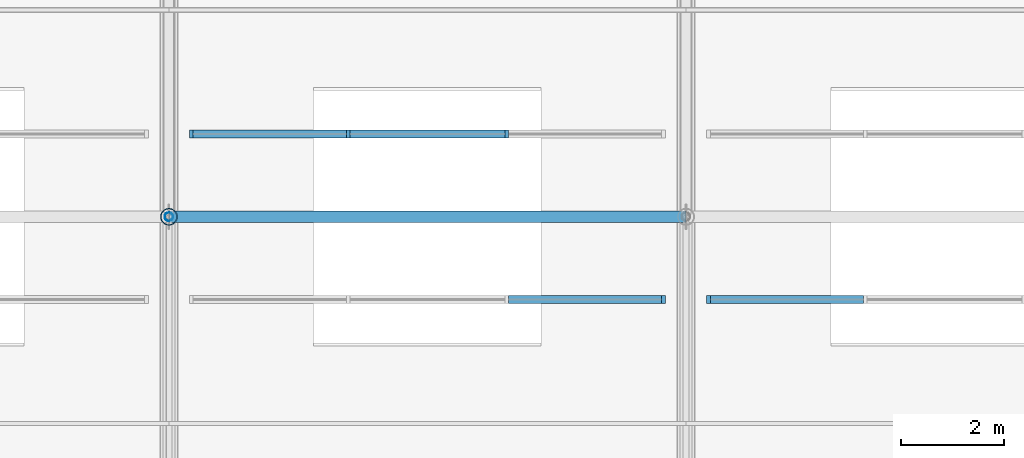
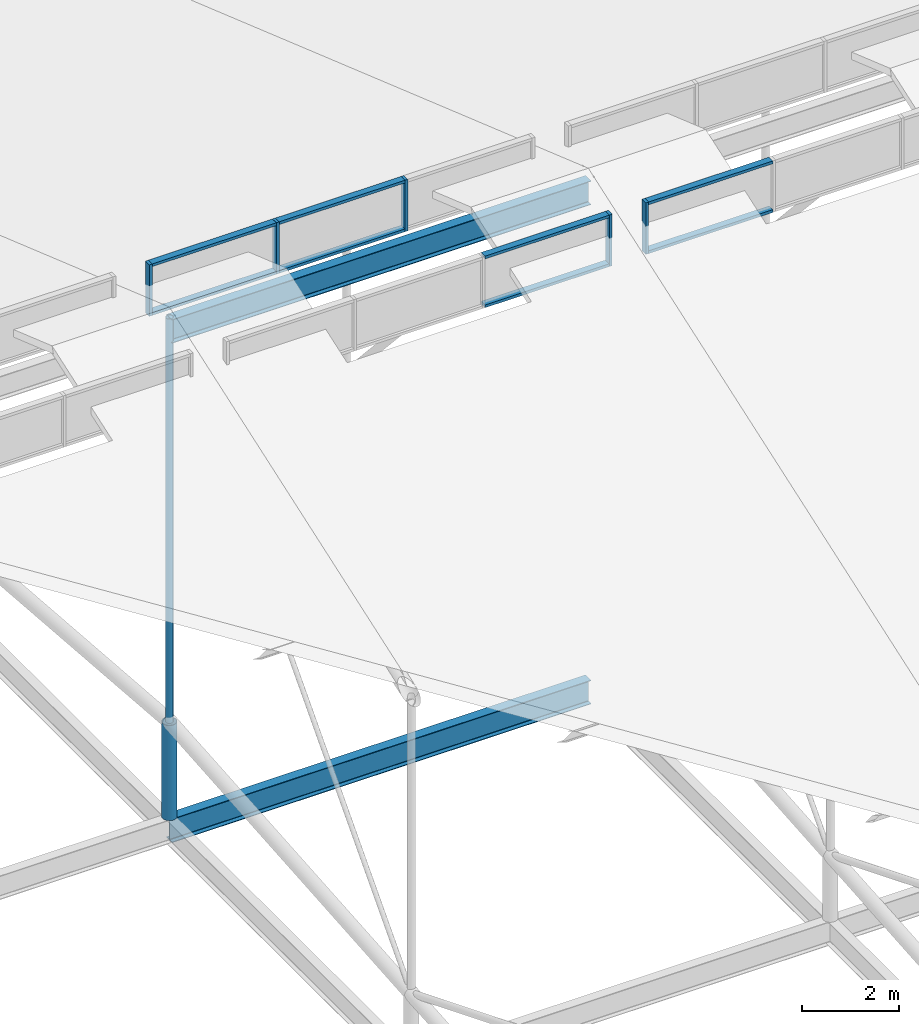
# One storey, part 37 of 93: 15 members, 2 beams, 3 elements without a shape of their own.
"""IFC4 building model written with IfcOpenShell, lengths in metres."""

from ifc_helpers import new_model, si_unit, derived_unit, direction, frame, origin, origin_2d_with_axis, place, context, subcontext, project, spatial, rectangle, hollow_circle, i_section, extrude, material, material_profile, profile_set, type_object, element, aggregate, save


model = new_model("IFC4")

# Units and contexts
model_context = context("Model", 3, precision=1e-05, world=origin(), true_north=direction((0.0, 1.0)))
body_context = subcontext(model_context, "Body", "Model", "MODEL_VIEW")
ifc_project = project(units=[si_unit("LENGTHUNIT", "METRE"), si_unit("AREAUNIT", "SQUARE_METRE"), si_unit("VOLUMEUNIT", "CUBIC_METRE"), si_unit("PLANEANGLEUNIT", "RADIAN"), si_unit("MASSUNIT", "GRAM", prefix="KILO"), derived_unit("THERMALTRANSMITTANCEUNIT", [(si_unit("POWERUNIT", "WATT"), 1), (si_unit("LENGTHUNIT", "METRE"), -2), (si_unit("THERMODYNAMICTEMPERATUREUNIT", "KELVIN"), -1)])], contexts=[model_context])

# Site, building, storey
site_placement = place(None, origin())
site = spatial("IfcSite", under=ifc_project, at=site_placement, CompositionType="ELEMENT")
building_placement = place(site_placement, origin())
building = spatial("IfcBuilding", under=site, at=building_placement, Name="Cinnabar Yard Market Hall", CompositionType="ELEMENT")
storey_placement = place(building_placement, frame((0.0, 0.0, 23.800048828125)))
storey = spatial("IfcBuildingStorey", under=building, at=storey_placement, Name="ROOF", CompositionType="ELEMENT", Elevation=23.800048828125)

# Beams
ifc_material_1 = material(Name="Steel Grade 300 (300 MPa)", Category="steel")
ifc_material_profile_1 = material_profile(ifc_material_1, i_section(OverallWidth=0.22802734375, OverallDepth=0.60205078125, WebThickness=0.010498046875, FlangeThickness=0.014892578125, FilletRadius=0.013916015625, at=origin_2d_with_axis()), Name="610UB101")
ifc_profile_set_1 = profile_set([ifc_material_profile_1], Name="Steel Grade 300 (300 MPa)")
beam_type = type_object("IfcBeamType", Name="BM-B02", PredefinedType="BEAM", material=ifc_profile_set_1)
for number, where, z_axis, x_axis, name in (
    (1, (106.0, 44.0, -9.700927734375), (1.0, 0.0, 0.0), (0.0, 1.0, 0.0), "Hall Longitudinal Tie Girder 00391"),
    (2, (106.0, 44.0, 2.89892578125), (1.0, 0.0, 0.0), (0.0, 1.0, 0.0), "Market Hall Ridge Girder 01594"),
):
    element("IfcBeam", number, at=place(storey_placement, frame(where, z_axis=z_axis, x_axis=x_axis)), inside=storey, type_object=beam_type, Name=name, PredefinedType="BEAM", context=body_context, shape_type="SweptSolid", body=[
        extrude(i_section(OverallWidth=0.22802734375, OverallDepth=0.60205078125, WebThickness=0.010498046875, FlangeThickness=0.014892578125, FilletRadius=0.013916015625, at=origin_2d_with_axis()), origin(), (0.0, 0.0, 1.0), 10.0),
    ])

# Curtain wall, member
ifc_material_2 = material(Name="Anodised aluminium ridge clerestory", Category="aluminium")
curtain_wall_type = type_object("IfcCurtainWallType", Name="CW-CWR092x13", PredefinedType="NOTDEFINED", material=ifc_material_2)
curtain_wall_1_placement = place(storey_placement, origin())
curtain_wall_1 = element("IfcCurtainWall", 3, at=curtain_wall_1_placement, inside=storey, type_object=curtain_wall_type, Name="South Ridge Clerestory 3", PredefinedType="NOTDEFINED")
ifc_material_3 = material(Name="Anodised bronze aluminium", Category="aluminium")
ifc_material_profile_2 = material_profile(ifc_material_3, rectangle(XDim=0.159912109375, YDim=0.070068359375, at=origin_2d_with_axis()), Name="MUL-CWR")
ifc_profile_set_2 = profile_set([ifc_material_profile_2], Name="Anodised bronze aluminium")
member_type_1 = type_object("IfcMemberType", Name="CWM-CWR", PredefinedType="MULLION", material=ifc_profile_set_2)
member_1_placement = place(storey_placement, frame((115.56494140625, 42.39990234375, 2.14990234375), z_axis=(0.0, 0.0, 1.0), x_axis=(0.0, 1.0, 0.0)))
member_1 = element("IfcMember", 4, at=member_1_placement, type_object=member_type_1, Name="CWR092x13 mullion 4", PredefinedType="MULLION", context=body_context, shape_type="SweptSolid", body=[
    extrude(rectangle(XDim=0.159912109375, YDim=0.070068359375, at=origin_2d_with_axis()), origin(), (0.0, 0.0, 1.0), 1.300048828125),
])

# Curtain wall, members
curtain_wall_2_placement = place(storey_placement, origin())
curtain_wall_2 = element("IfcCurtainWall", 5, at=curtain_wall_2_placement, inside=storey, type_object=curtain_wall_type, Name="North Ridge Clerestory 3", PredefinedType="NOTDEFINED")
member_2_placement = place(storey_placement, frame((112.533447265625, 45.60009765625, 2.14990234375), z_axis=(0.0, 0.0, 1.0), x_axis=(0.0, -1.0, 0.0)))
member_2 = element("IfcMember", 6, at=member_2_placement, type_object=member_type_1, Name="CWR092x13 mullion 2", PredefinedType="MULLION", context=body_context, shape_type="SweptSolid", body=[
    extrude(rectangle(XDim=0.159912109375, YDim=0.070068359375, at=origin_2d_with_axis()), origin(), (0.0, 0.0, 1.0), 1.300048828125),
])
member_3_placement = place(storey_placement, frame((109.466552734375, 45.60009765625, 2.14990234375), z_axis=(0.0, 0.0, 1.0), x_axis=(0.0, -1.0, 0.0)))
member_3 = element("IfcMember", 7, at=member_3_placement, type_object=member_type_1, Name="CWR092x13 mullion 3", PredefinedType="MULLION", context=body_context, shape_type="SweptSolid", body=[
    extrude(rectangle(XDim=0.159912109375, YDim=0.070068359375, at=origin_2d_with_axis()), origin(), (0.0, 0.0, 1.0), 1.300048828125),
])
member_4_placement = place(storey_placement, frame((106.43505859375, 45.60009765625, 2.14990234375), z_axis=(0.0, 0.0, 1.0), x_axis=(0.0, -1.0, 0.0)))
member_4 = element("IfcMember", 8, at=member_4_placement, type_object=member_type_1, Name="CWR092x13 mullion 4", PredefinedType="MULLION", context=body_context, shape_type="SweptSolid", body=[
    extrude(rectangle(XDim=0.159912109375, YDim=0.070068359375, at=origin_2d_with_axis()), origin(), (0.0, 0.0, 1.0), 1.300048828125),
])

# Curtain wall, member
curtain_wall_3_placement = place(storey_placement, origin())
curtain_wall_3 = element("IfcCurtainWall", 9, at=curtain_wall_3_placement, inside=storey, type_object=curtain_wall_type, Name="South Ridge Clerestory 4", PredefinedType="NOTDEFINED")
member_5_placement = place(storey_placement, frame((116.43505859375, 42.39990234375, 2.14990234375), z_axis=(0.0, 0.0, 1.0), x_axis=(0.0, 1.0, 0.0)))
member_5 = element("IfcMember", 10, at=member_5_placement, type_object=member_type_1, Name="CWR092x13 mullion 1", PredefinedType="MULLION", context=body_context, shape_type="SweptSolid", body=[
    extrude(rectangle(XDim=0.159912109375, YDim=0.070068359375, at=origin_2d_with_axis()), origin(), (0.0, 0.0, 1.0), 1.300048828125),
])

# Member
ifc_material_profile_3 = material_profile(ifc_material_3, rectangle(XDim=0.159912109375, YDim=0.070068359375, at=origin_2d_with_axis()), Name="TRN-CWR")
ifc_profile_set_3 = profile_set([ifc_material_profile_3], Name="Anodised bronze aluminium")
member_type_2 = type_object("IfcMemberType", Name="CWT-CWR", PredefinedType="USERDEFINED", material=ifc_profile_set_3)
member_6_placement = place(storey_placement, frame((112.568359375, 42.39990234375, 2.18505859375), z_axis=(1.0, 0.0, 0.0), x_axis=(0.0, 1.0, 0.0)))
member_6 = element("IfcMember", 11, at=member_6_placement, type_object=member_type_2, Name="CWR092x13 transom 3.1", ObjectType="TRANSOM", PredefinedType="USERDEFINED", context=body_context, shape_type="SweptSolid", body=[
    extrude(rectangle(XDim=0.159912109375, YDim=0.070068359375, at=origin_2d_with_axis()), origin(), (0.0, 0.0, 1.0), 2.961669921875),
])

member_7_placement = place(storey_placement, frame((112.568359375, 42.39990234375, 3.4150390625), z_axis=(1.0, 0.0, 0.0), x_axis=(0.0, 1.0, 0.0)))
member_7 = element("IfcMember", 12, at=member_7_placement, type_object=member_type_2, Name="CWR092x13 transom 3.2", ObjectType="TRANSOM", PredefinedType="USERDEFINED", context=body_context, shape_type="SweptSolid", body=[
    extrude(rectangle(XDim=0.159912109375, YDim=0.070068359375, at=origin_2d_with_axis()), origin(), (0.0, 0.0, 1.0), 2.961669921875),
])

aggregate(curtain_wall_1, [member_1, member_6, member_7])

member_8_placement = place(storey_placement, frame((112.498291015625, 45.60009765625, 2.18505859375), z_axis=(-1.0, 0.0, 0.0), x_axis=(0.0, -1.0, 0.0)))
member_8 = element("IfcMember", 13, at=member_8_placement, type_object=member_type_2, Name="CWR092x13 transom 2.1", ObjectType="TRANSOM", PredefinedType="USERDEFINED", context=body_context, shape_type="SweptSolid", body=[
    extrude(rectangle(XDim=0.159912109375, YDim=0.070068359375, at=origin_2d_with_axis()), origin(), (0.0, 0.0, 1.0), 2.99658203125),
])

member_9_placement = place(storey_placement, frame((112.498291015625, 45.60009765625, 3.4150390625), z_axis=(-1.0, 0.0, 0.0), x_axis=(0.0, -1.0, 0.0)))
member_9 = element("IfcMember", 14, at=member_9_placement, type_object=member_type_2, Name="CWR092x13 transom 2.2", ObjectType="TRANSOM", PredefinedType="USERDEFINED", context=body_context, shape_type="SweptSolid", body=[
    extrude(rectangle(XDim=0.159912109375, YDim=0.070068359375, at=origin_2d_with_axis()), origin(), (0.0, 0.0, 1.0), 2.99658203125),
])

member_10_placement = place(storey_placement, frame((109.431640625, 45.60009765625, 2.18505859375), z_axis=(-1.0, 0.0, 0.0), x_axis=(0.0, -1.0, 0.0)))
member_10 = element("IfcMember", 15, at=member_10_placement, type_object=member_type_2, Name="CWR092x13 transom 3.1", ObjectType="TRANSOM", PredefinedType="USERDEFINED", context=body_context, shape_type="SweptSolid", body=[
    extrude(rectangle(XDim=0.159912109375, YDim=0.070068359375, at=origin_2d_with_axis()), origin(), (0.0, 0.0, 1.0), 2.961669921875),
])

member_11_placement = place(storey_placement, frame((109.431640625, 45.60009765625, 3.4150390625), z_axis=(-1.0, 0.0, 0.0), x_axis=(0.0, -1.0, 0.0)))
member_11 = element("IfcMember", 16, at=member_11_placement, type_object=member_type_2, Name="CWR092x13 transom 3.2", ObjectType="TRANSOM", PredefinedType="USERDEFINED", context=body_context, shape_type="SweptSolid", body=[
    extrude(rectangle(XDim=0.159912109375, YDim=0.070068359375, at=origin_2d_with_axis()), origin(), (0.0, 0.0, 1.0), 2.961669921875),
])

aggregate(curtain_wall_2, [member_2, member_3, member_4, member_8, member_9, member_10, member_11])

member_12_placement = place(storey_placement, frame((116.469970703125, 42.39990234375, 2.18505859375), z_axis=(1.0, 0.0, 0.0), x_axis=(0.0, 1.0, 0.0)))
member_12 = element("IfcMember", 17, at=member_12_placement, type_object=member_type_2, Name="CWR092x13 transom 1.1", ObjectType="TRANSOM", PredefinedType="USERDEFINED", context=body_context, shape_type="SweptSolid", body=[
    extrude(rectangle(XDim=0.159912109375, YDim=0.070068359375, at=origin_2d_with_axis()), origin(), (0.0, 0.0, 1.0), 2.961669921875),
])

member_13_placement = place(storey_placement, frame((116.469970703125, 42.39990234375, 3.4150390625), z_axis=(1.0, 0.0, 0.0), x_axis=(0.0, 1.0, 0.0)))
member_13 = element("IfcMember", 18, at=member_13_placement, type_object=member_type_2, Name="CWR092x13 transom 1.2", ObjectType="TRANSOM", PredefinedType="USERDEFINED", context=body_context, shape_type="SweptSolid", body=[
    extrude(rectangle(XDim=0.159912109375, YDim=0.070068359375, at=origin_2d_with_axis()), origin(), (0.0, 0.0, 1.0), 2.961669921875),
])

aggregate(curtain_wall_3, [member_5, member_12, member_13])

# Members
ifc_material_4 = material(Name="Spotted-gum glulam-clad steel Grade 350 (350 MPa)", Category="steel")
ifc_material_profile_4 = material_profile(ifc_material_4, hollow_circle(Radius=0.161865234375, WallThickness=0.009521484375, at=origin_2d_with_axis()), Name="323.9x9.5CHS")
ifc_profile_set_4 = profile_set([ifc_material_profile_4], Name="Spotted-gum glulam-clad steel Grade 350 (350 MPa)")
member_type_3 = type_object("IfcMemberType", Name="MB-ST01", PredefinedType="STRUT", material=ifc_profile_set_4)
member_14_placement = place(storey_placement, frame((106.0, 44.0, -9.400146484375), z_axis=(0.0, 0.0, 1.0), x_axis=(1.0, 0.0, 0.0)))
element("IfcMember", 19, at=member_14_placement, inside=storey, type_object=member_type_3, Name="Truss Bearing Post 106-44", PredefinedType="STRUT", context=body_context, shape_type="SweptSolid", body=[
    extrude(hollow_circle(Radius=0.161865234375, WallThickness=0.009521484375, at=origin_2d_with_axis()), origin(), (0.0, 0.0, 1.0), 2.400146484375),
])
ifc_material_5 = material(Name="Cold-formed steel C350L0", Category="steel")
ifc_material_profile_5 = material_profile(ifc_material_5, hollow_circle(Radius=0.084228515625, WallThickness=0.00634765625, at=origin_2d_with_axis()), Name="168.3x6.4CHS")
ifc_profile_set_5 = profile_set([ifc_material_profile_5], Name="Cold-formed steel C350L0")
member_type_4 = type_object("IfcMemberType", Name="MB-WB01", PredefinedType="STRUT", material=ifc_profile_set_5)
member_15_placement = place(storey_placement, frame((106.0, 44.0, -7.0), z_axis=(0.0, 0.0, 1.0), x_axis=(1.0, 0.0, 0.0)))
element("IfcMember", 20, at=member_15_placement, inside=storey, type_object=member_type_4, Name="Hall Truss 106 Post 3", PredefinedType="STRUT", context=body_context, shape_type="SweptSolid", body=[
    extrude(hollow_circle(Radius=0.084228515625, WallThickness=0.00634765625, at=origin_2d_with_axis()), origin(), (0.0, 0.0, 1.0), 10.199951171875),
])

save(model, "model.ifc")
